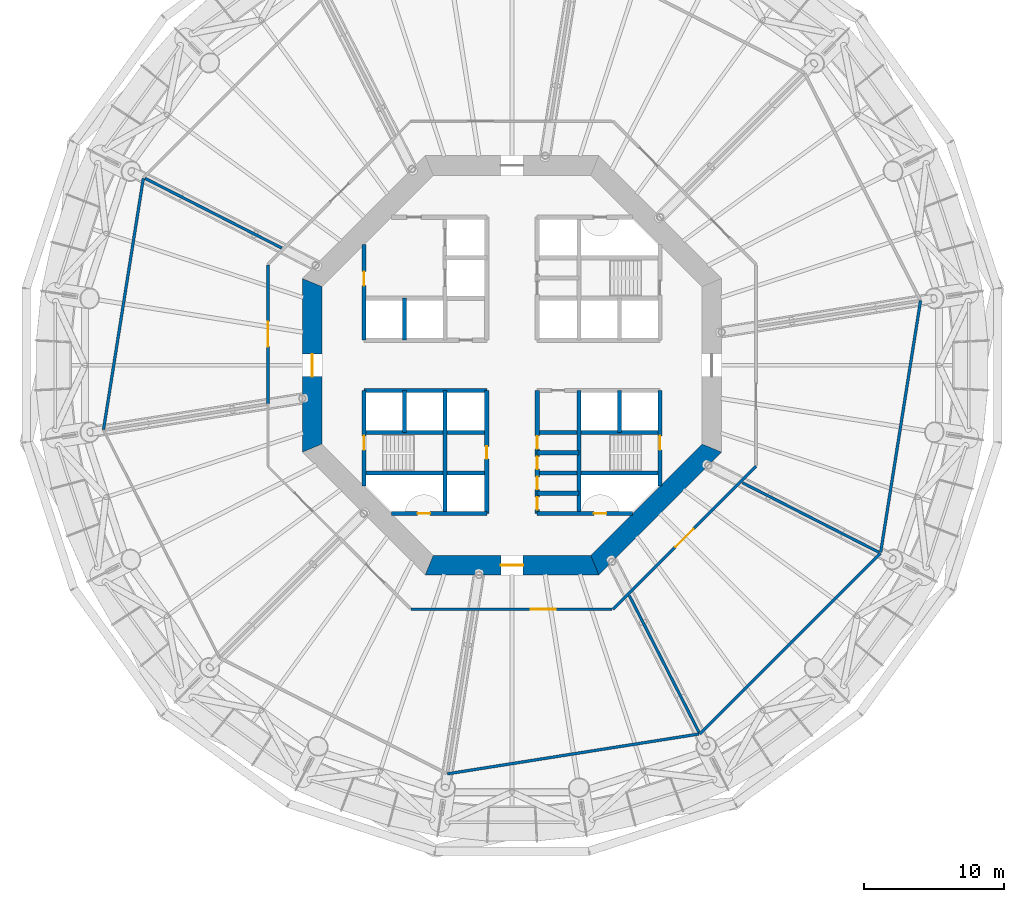
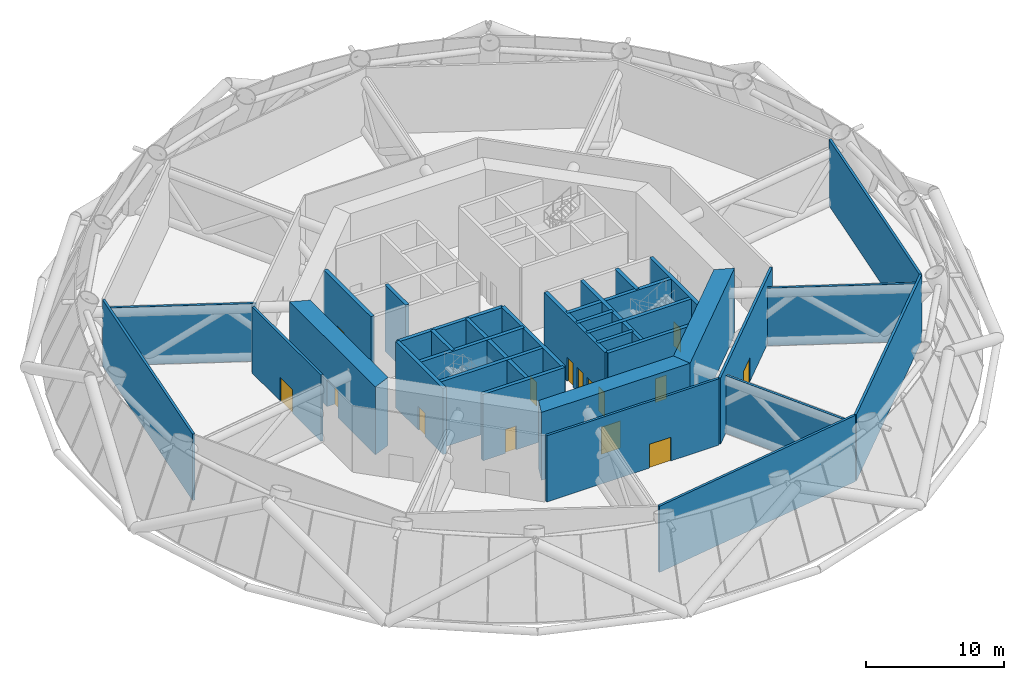
# One storey, part 8 of 14: 32 walls, 15 doors, 15 openings.
"""IFC4 building model written with IfcOpenShell, lengths in metres."""

from ifc_helpers import new_model, si_unit, direction, frame, frame_2d, origin, place, context, subcontext, project, spatial, polyline, rectangle, outline, extrude, material, layer, layer_set, type_object, element, fill, save


model = new_model("IFC4")

# Units and contexts
model_context = context("Model", 3, precision=1e-05, world=origin(), true_north=direction((0.0, 1.0)))
body_context = subcontext(model_context, "Body", "Model", "MODEL_VIEW")
ifc_project = project(units=[si_unit("LENGTHUNIT", "METRE"), si_unit("AREAUNIT", "SQUARE_METRE"), si_unit("VOLUMEUNIT", "CUBIC_METRE"), si_unit("PLANEANGLEUNIT", "RADIAN"), si_unit("MASSUNIT", "GRAM", prefix="KILO")], contexts=[model_context])

# Site, building, storey
site_placement = place(None, origin())
site = spatial("IfcSite", under=ifc_project, at=site_placement, CompositionType="ELEMENT")
building_placement = place(site_placement, origin())
building = spatial("IfcBuilding", under=site, at=building_placement, Name="Entoto Ring Tower", CompositionType="ELEMENT")
storey_placement = place(building_placement, frame((0.0, 0.0, 74.0)))
storey = spatial("IfcBuildingStorey", under=building, at=storey_placement, Name="L16", CompositionType="ELEMENT", Elevation=74.0)

# Wall, opening, door
ifc_material_1 = material(Name="Concrete C40/50", Category="concrete")
ifc_layer_1 = layer(ifc_material_1, 0.300048828125)
ifc_layer_set_1 = layer_set([ifc_layer_1], Name="Concrete C40/50")
wall_type_1 = type_object("IfcWallType", Name="Core enclosure wall 300 mm reinforced concrete", PredefinedType="SOLIDWALL", material=ifc_layer_set_1)
wall_1_placement = place(storey_placement, frame((100.60009765625, 71.36669921875, 0.0), z_axis=(0.0, 0.0, 1.0), x_axis=(0.0, 1.0, 0.0)))
wall_1 = element("IfcWall", 1, at=wall_1_placement, inside=storey, type_object=wall_type_1, Name="wall-L16-001", PredefinedType="SOLIDWALL", context=body_context, shape_type="SweptSolid", body=[
    extrude(rectangle(XDim=6.833251953125, YDim=0.300048828125, at=frame_2d((3.41650390625, 0.0))), origin(), (0.0, 0.0, 1.0), 5.85009765625),
])
opening_1_placement = place(wall_1_placement, frame((2.583251953125, 0.0, 0.0)))
opening_1 = element("IfcOpeningElement", 2, at=opening_1_placement, cuts=wall_1, Name="Opening K-55", PredefinedType="OPENING", context=body_context, shape_type="SweptSolid", body=[
    extrude(rectangle(XDim=1.0, YDim=2.10009765625, at=frame_2d((0.5, 1.050048828125))), frame((0.0, 0.16015625, 0.0), z_axis=(0.0, -1.0, 0.0), x_axis=(1.0, 0.0, 0.0)), (0.0, 0.0, 1.0), 0.320068359375),
])
ifc_material_2 = material(Name="Steel door leaf, fire rated", Category="steel")
ifc_layer_2 = layer(ifc_material_2, 0.050048828125)
ifc_layer_set_2 = layer_set([ifc_layer_2], Name="Steel door leaf, fire rated")
door_type_1 = type_object("IfcDoorType", Name="Fire door FD60 1000 x 2100 single leaf", OperationType="NOTDEFINED", PredefinedType="DOOR", material=ifc_layer_set_2)
door_1_placement = place(opening_1_placement, origin())
door_1 = element("IfcDoor", 3, at=door_1_placement, inside=storey, type_object=door_type_1, Name="Door K-55", OperationType="SINGLE_SWING_RIGHT", OverallHeight=2.10009765625, OverallWidth=1.0, PredefinedType="DOOR", context=body_context, shape_type="SweptSolid", body=[
    extrude(rectangle(XDim=1.0, YDim=2.10009765625, at=frame_2d((0.5, 1.050048828125))), frame((0.0, 0.02490234375, 0.0), z_axis=(0.0, -1.0, 0.0), x_axis=(1.0, 0.0, 0.0)), (0.0, 0.0, 1.0), 0.050048828125),
])
fill(opening_1, door_1)

# Walls
wall_2_placement = place(storey_placement, frame((97.699951171875, 75.199951171875, 0.0), z_axis=(0.0, 0.0, 1.0), x_axis=(0.0, 1.0, 0.0)))
element("IfcWall", 4, at=wall_2_placement, inside=storey, type_object=wall_type_1, Name="wall-L16-003", PredefinedType="SOLIDWALL", context=body_context, shape_type="SweptSolid", body=[
    extrude(rectangle(XDim=3.0, YDim=0.300048828125, at=frame_2d((1.5, 0.0))), origin(), (0.0, 0.0, 1.0), 5.85009765625),
])
wall_3_placement = place(storey_placement, frame((94.800048828125, 69.39990234375, 0.0), z_axis=(0.0, 0.0, 1.0), x_axis=(0.0, 1.0, 0.0)))
element("IfcWall", 5, at=wall_3_placement, inside=storey, type_object=wall_type_1, Name="wall-L16-005", PredefinedType="SOLIDWALL", context=body_context, shape_type="SweptSolid", body=[
    extrude(rectangle(XDim=8.800048828125, YDim=0.300048828125, at=frame_2d((4.39990234375, 0.0))), origin(), (0.0, 0.0, 1.0), 5.85009765625),
])

# Wall, openings, doors
wall_4_placement = place(storey_placement, frame((91.800048828125, 69.39990234375, 0.0), z_axis=(0.0, 0.0, 1.0), x_axis=(0.0, 1.0, 0.0)))
wall_4 = element("IfcWall", 6, at=wall_4_placement, inside=storey, type_object=wall_type_1, Name="wall-L16-007", PredefinedType="SOLIDWALL", context=body_context, shape_type="SweptSolid", body=[
    extrude(rectangle(XDim=8.800048828125, YDim=0.300048828125, at=frame_2d((4.39990234375, 0.0))), origin(), (0.0, 0.0, 1.0), 5.85009765625),
])
opening_2_placement = place(wall_4_placement, frame((3.175048828125, 0.0, 0.0)))
opening_2 = element("IfcOpeningElement", 7, at=opening_2_placement, cuts=wall_4, Name="Opening K-07", PredefinedType="OPENING", context=body_context, shape_type="SweptSolid", body=[
    extrude(rectangle(XDim=0.89990234375, YDim=2.10009765625, at=frame_2d((0.449951171875, 1.050048828125))), frame((0.0, 0.16015625, 0.0), z_axis=(0.0, -1.0, 0.0), x_axis=(1.0, 0.0, 0.0)), (0.0, 0.0, 1.0), 0.320068359375),
])
opening_3_placement = place(wall_4_placement, frame((4.625, 0.0, 0.0)))
opening_3 = element("IfcOpeningElement", 8, at=opening_3_placement, cuts=wall_4, Name="Opening K-08", PredefinedType="OPENING", context=body_context, shape_type="SweptSolid", body=[
    extrude(rectangle(XDim=0.89990234375, YDim=2.10009765625, at=frame_2d((0.449951171875, 1.050048828125))), frame((0.0, 0.16015625, 0.0), z_axis=(0.0, -1.0, 0.0), x_axis=(1.0, 0.0, 0.0)), (0.0, 0.0, 1.0), 0.320068359375),
])
opening_4_placement = place(wall_4_placement, frame((0.27490234375, 0.0, 0.0)))
opening_4 = element("IfcOpeningElement", 9, at=opening_4_placement, cuts=wall_4, Name="Opening K-09", PredefinedType="OPENING", context=body_context, shape_type="SweptSolid", body=[
    extrude(rectangle(XDim=0.89990234375, YDim=2.10009765625, at=frame_2d((0.449951171875, 1.050048828125))), frame((0.0, 0.16015625, 0.0), z_axis=(0.0, -1.0, 0.0), x_axis=(1.0, 0.0, 0.0)), (0.0, 0.0, 1.0), 0.320068359375),
])
opening_5_placement = place(wall_4_placement, frame((1.72509765625, 0.0, 0.0)))
opening_5 = element("IfcOpeningElement", 10, at=opening_5_placement, cuts=wall_4, Name="Opening K-10", PredefinedType="OPENING", context=body_context, shape_type="SweptSolid", body=[
    extrude(rectangle(XDim=0.89990234375, YDim=2.10009765625, at=frame_2d((0.449951171875, 1.050048828125))), frame((0.0, 0.16015625, 0.0), z_axis=(0.0, -1.0, 0.0), x_axis=(1.0, 0.0, 0.0)), (0.0, 0.0, 1.0), 0.320068359375),
])
ifc_material_3 = material(Name="Steel door leaf, fire rated", Category="steel")
ifc_layer_3 = layer(ifc_material_3, 0.050048828125)
ifc_layer_set_3 = layer_set([ifc_layer_3], Name="Steel door leaf, fire rated")
door_type_2 = type_object("IfcDoorType", Name="Core door 900 x 2100 single leaf", OperationType="NOTDEFINED", PredefinedType="DOOR", material=ifc_layer_set_3)
door_2_placement = place(opening_2_placement, frame((0.89990234375, 0.0, 0.0), z_axis=(0.0, 0.0, 1.0), x_axis=(-1.0, 0.0, 0.0)))
door_2 = element("IfcDoor", 11, at=door_2_placement, inside=storey, type_object=door_type_2, Name="Door K-07", OperationType="SINGLE_SWING_LEFT", OverallHeight=2.10009765625, OverallWidth=0.89990234375, PredefinedType="DOOR", context=body_context, shape_type="SweptSolid", body=[
    extrude(rectangle(XDim=0.89990234375, YDim=2.10009765625, at=frame_2d((0.449951171875, 1.050048828125))), frame((0.0, 0.02490234375, 0.0), z_axis=(0.0, -1.0, 0.0), x_axis=(1.0, 0.0, 0.0)), (0.0, 0.0, 1.0), 0.050048828125),
])
fill(opening_2, door_2)
door_3_placement = place(opening_3_placement, frame((0.89990234375, 0.0, 0.0), z_axis=(0.0, 0.0, 1.0), x_axis=(-1.0, 0.0, 0.0)))
door_3 = element("IfcDoor", 12, at=door_3_placement, inside=storey, type_object=door_type_2, Name="Door K-08", OperationType="SINGLE_SWING_LEFT", OverallHeight=2.10009765625, OverallWidth=0.89990234375, PredefinedType="DOOR", context=body_context, shape_type="SweptSolid", body=[
    extrude(rectangle(XDim=0.89990234375, YDim=2.10009765625, at=frame_2d((0.449951171875, 1.050048828125))), frame((0.0, 0.02490234375, 0.0), z_axis=(0.0, -1.0, 0.0), x_axis=(1.0, 0.0, 0.0)), (0.0, 0.0, 1.0), 0.050048828125),
])
fill(opening_3, door_3)
door_4_placement = place(opening_4_placement, frame((0.89990234375, 0.0, 0.0), z_axis=(0.0, 0.0, 1.0), x_axis=(-1.0, 0.0, 0.0)))
door_4 = element("IfcDoor", 13, at=door_4_placement, inside=storey, type_object=door_type_2, Name="Door K-09", OperationType="SINGLE_SWING_LEFT", OverallHeight=2.10009765625, OverallWidth=0.89990234375, PredefinedType="DOOR", context=body_context, shape_type="SweptSolid", body=[
    extrude(rectangle(XDim=0.89990234375, YDim=2.10009765625, at=frame_2d((0.449951171875, 1.050048828125))), frame((0.0, 0.02490234375, 0.0), z_axis=(0.0, -1.0, 0.0), x_axis=(1.0, 0.0, 0.0)), (0.0, 0.0, 1.0), 0.050048828125),
])
fill(opening_4, door_4)
door_5_placement = place(opening_5_placement, frame((0.89990234375, 0.0, 0.0), z_axis=(0.0, 0.0, 1.0), x_axis=(-1.0, 0.0, 0.0)))
door_5 = element("IfcDoor", 14, at=door_5_placement, inside=storey, type_object=door_type_2, Name="Door K-10", OperationType="SINGLE_SWING_LEFT", OverallHeight=2.10009765625, OverallWidth=0.89990234375, PredefinedType="DOOR", context=body_context, shape_type="SweptSolid", body=[
    extrude(rectangle(XDim=0.89990234375, YDim=2.10009765625, at=frame_2d((0.449951171875, 1.050048828125))), frame((0.0, 0.02490234375, 0.0), z_axis=(0.0, -1.0, 0.0), x_axis=(1.0, 0.0, 0.0)), (0.0, 0.0, 1.0), 0.050048828125),
])
fill(opening_5, door_5)

# Wall, opening, door
wall_5_placement = place(storey_placement, frame((88.199951171875, 69.39990234375, 0.0), z_axis=(0.0, 0.0, 1.0), x_axis=(0.0, 1.0, 0.0)))
wall_5 = element("IfcWall", 15, at=wall_5_placement, inside=storey, type_object=wall_type_1, Name="wall-L16-009", PredefinedType="SOLIDWALL", context=body_context, shape_type="SweptSolid", body=[
    extrude(rectangle(XDim=8.800048828125, YDim=0.300048828125, at=frame_2d((4.39990234375, 0.0))), origin(), (0.0, 0.0, 1.0), 5.85009765625),
])
opening_6_placement = place(wall_5_placement, frame((3.89990234375, 0.0, 0.0)))
opening_6 = element("IfcOpeningElement", 16, at=opening_6_placement, cuts=wall_5, Name="Opening K-11", PredefinedType="OPENING", context=body_context, shape_type="SweptSolid", body=[
    extrude(rectangle(XDim=0.89990234375, YDim=2.10009765625, at=frame_2d((0.449951171875, 1.050048828125))), frame((0.0, 0.16015625, 0.0), z_axis=(0.0, -1.0, 0.0), x_axis=(1.0, 0.0, 0.0)), (0.0, 0.0, 1.0), 0.320068359375),
])
door_6_placement = place(opening_6_placement, origin())
door_6 = element("IfcDoor", 17, at=door_6_placement, inside=storey, type_object=door_type_2, Name="Door K-11", OperationType="SINGLE_SWING_RIGHT", OverallHeight=2.10009765625, OverallWidth=0.89990234375, PredefinedType="DOOR", context=body_context, shape_type="SweptSolid", body=[
    extrude(rectangle(XDim=0.89990234375, YDim=2.10009765625, at=frame_2d((0.449951171875, 1.050048828125))), frame((0.0, 0.02490234375, 0.0), z_axis=(0.0, -1.0, 0.0), x_axis=(1.0, 0.0, 0.0)), (0.0, 0.0, 1.0), 0.050048828125),
])
fill(opening_6, door_6)

# Walls
wall_6_placement = place(storey_placement, frame((85.199951171875, 69.39990234375, 0.0), z_axis=(0.0, 0.0, 1.0), x_axis=(0.0, 1.0, 0.0)))
element("IfcWall", 18, at=wall_6_placement, inside=storey, type_object=wall_type_1, Name="wall-L16-011", PredefinedType="SOLIDWALL", context=body_context, shape_type="SweptSolid", body=[
    extrude(rectangle(XDim=8.800048828125, YDim=0.300048828125, at=frame_2d((4.39990234375, 0.0))), origin(), (0.0, 0.0, 1.0), 5.85009765625),
])
for number, where, z_axis, x_axis, name in (
    (19, (82.300048828125, 75.199951171875, 0.0), (0.0, 0.0, 1.0), (0.0, 1.0, 0.0), "wall-L16-013"),
    (20, (82.300048828125, 81.800048828125, 0.0), (0.0, 0.0, 1.0), (0.0, 1.0, 0.0), "wall-L16-014"),
):
    element("IfcWall", number, at=place(storey_placement, frame(where, z_axis=z_axis, x_axis=x_axis)), inside=storey, type_object=wall_type_1, Name=name, PredefinedType="SOLIDWALL", context=body_context, shape_type="SweptSolid", body=[
        extrude(rectangle(XDim=3.0, YDim=0.300048828125, at=frame_2d((1.5, 0.0))), origin(), (0.0, 0.0, 1.0), 5.85009765625),
    ])

# Wall, opening, door
wall_7_placement = place(storey_placement, frame((79.39990234375, 71.36669921875, 0.0), z_axis=(0.0, 0.0, 1.0), x_axis=(0.0, 1.0, 0.0)))
wall_7 = element("IfcWall", 21, at=wall_7_placement, inside=storey, type_object=wall_type_1, Name="wall-L16-015", PredefinedType="SOLIDWALL", context=body_context, shape_type="SweptSolid", body=[
    extrude(rectangle(XDim=6.833251953125, YDim=0.300048828125, at=frame_2d((3.41650390625, 0.0))), origin(), (0.0, 0.0, 1.0), 5.85009765625),
])
opening_7_placement = place(wall_7_placement, frame((2.583251953125, 0.0, 0.0)))
opening_7 = element("IfcOpeningElement", 22, at=opening_7_placement, cuts=wall_7, Name="Opening K-52", PredefinedType="OPENING", context=body_context, shape_type="SweptSolid", body=[
    extrude(rectangle(XDim=1.0, YDim=2.10009765625, at=frame_2d((0.5, 1.050048828125))), frame((0.0, 0.16015625, 0.0), z_axis=(0.0, -1.0, 0.0), x_axis=(1.0, 0.0, 0.0)), (0.0, 0.0, 1.0), 0.320068359375),
])
door_7_placement = place(opening_7_placement, frame((1.0, 0.0, 0.0), z_axis=(0.0, 0.0, 1.0), x_axis=(-1.0, 0.0, 0.0)))
door_7 = element("IfcDoor", 23, at=door_7_placement, inside=storey, type_object=door_type_1, Name="Door K-52", OperationType="SINGLE_SWING_LEFT", OverallHeight=2.10009765625, OverallWidth=1.0, PredefinedType="DOOR", context=body_context, shape_type="SweptSolid", body=[
    extrude(rectangle(XDim=1.0, YDim=2.10009765625, at=frame_2d((0.5, 1.050048828125))), frame((0.0, 0.02490234375, 0.0), z_axis=(0.0, -1.0, 0.0), x_axis=(1.0, 0.0, 0.0)), (0.0, 0.0, 1.0), 0.050048828125),
])
fill(opening_7, door_7)

wall_8_placement = place(storey_placement, frame((79.39990234375, 81.800048828125, 0.0), z_axis=(0.0, 0.0, 1.0), x_axis=(0.0, 1.0, 0.0)))
wall_8 = element("IfcWall", 24, at=wall_8_placement, inside=storey, type_object=wall_type_1, Name="wall-L16-016", PredefinedType="SOLIDWALL", context=body_context, shape_type="SweptSolid", body=[
    extrude(rectangle(XDim=6.833251953125, YDim=0.300048828125, at=frame_2d((3.41650390625, 0.0))), origin(), (0.0, 0.0, 1.0), 5.85009765625),
])
opening_8_placement = place(wall_8_placement, frame((3.89990234375, 0.0, 0.0)))
opening_8 = element("IfcOpeningElement", 25, at=opening_8_placement, cuts=wall_8, Name="Opening K-65", PredefinedType="OPENING", context=body_context, shape_type="SweptSolid", body=[
    extrude(rectangle(XDim=1.0, YDim=2.10009765625, at=frame_2d((0.5, 1.050048828125))), frame((0.0, 0.16015625, 0.0), z_axis=(0.0, -1.0, 0.0), x_axis=(1.0, 0.0, 0.0)), (0.0, 0.0, 1.0), 0.320068359375),
])
door_8_placement = place(opening_8_placement, frame((1.0, 0.0, 0.0), z_axis=(0.0, 0.0, 1.0), x_axis=(-1.0, 0.0, 0.0)))
door_8 = element("IfcDoor", 26, at=door_8_placement, inside=storey, type_object=door_type_1, Name="Door K-65", OperationType="SINGLE_SWING_LEFT", OverallHeight=2.10009765625, OverallWidth=1.0, PredefinedType="DOOR", context=body_context, shape_type="SweptSolid", body=[
    extrude(rectangle(XDim=1.0, YDim=2.10009765625, at=frame_2d((0.5, 1.050048828125))), frame((0.0, 0.02490234375, 0.0), z_axis=(0.0, -1.0, 0.0), x_axis=(1.0, 0.0, 0.0)), (0.0, 0.0, 1.0), 0.050048828125),
])
fill(opening_8, door_8)

wall_9_placement = place(storey_placement, frame((81.36669921875, 69.39990234375, 0.0), z_axis=(0.0, 0.0, 1.0), x_axis=(1.0, 0.0, 0.0)))
wall_9 = element("IfcWall", 27, at=wall_9_placement, inside=storey, type_object=wall_type_1, Name="wall-L16-017", PredefinedType="SOLIDWALL", context=body_context, shape_type="SweptSolid", body=[
    extrude(rectangle(XDim=6.833251953125, YDim=0.300048828125, at=frame_2d((3.41650390625, 0.0))), origin(), (0.0, 0.0, 1.0), 5.85009765625),
])
opening_9_placement = place(wall_9_placement, frame((1.88330078125, 0.0, 0.0)))
opening_9 = element("IfcOpeningElement", 28, at=opening_9_placement, cuts=wall_9, Name="Opening K-60", PredefinedType="OPENING", context=body_context, shape_type="SweptSolid", body=[
    extrude(rectangle(XDim=0.89990234375, YDim=2.10009765625, at=frame_2d((0.449951171875, 1.050048828125))), frame((0.0, 0.16015625, 0.0), z_axis=(0.0, -1.0, 0.0), x_axis=(1.0, 0.0, 0.0)), (0.0, 0.0, 1.0), 0.320068359375),
])
ifc_material_4 = material(Name="Steel door leaf, fire rated", Category="steel")
ifc_layer_4 = layer(ifc_material_4, 0.050048828125)
ifc_layer_set_4 = layer_set([ifc_layer_4], Name="Steel door leaf, fire rated")
door_type_3 = type_object("IfcDoorType", Name="Riser door FD60 900 x 2100 single leaf", OperationType="NOTDEFINED", PredefinedType="DOOR", material=ifc_layer_set_4)
door_9_placement = place(opening_9_placement, origin())
door_9 = element("IfcDoor", 29, at=door_9_placement, inside=storey, type_object=door_type_3, Name="Door K-60", OperationType="SINGLE_SWING_RIGHT", OverallHeight=2.10009765625, OverallWidth=0.89990234375, PredefinedType="DOOR", context=body_context, shape_type="SweptSolid", body=[
    extrude(rectangle(XDim=0.89990234375, YDim=2.10009765625, at=frame_2d((0.449951171875, 1.050048828125))), frame((0.0, 0.02490234375, 0.0), z_axis=(0.0, -1.0, 0.0), x_axis=(1.0, 0.0, 0.0)), (0.0, 0.0, 1.0), 0.050048828125),
])
fill(opening_9, door_9)

wall_10_placement = place(storey_placement, frame((91.800048828125, 69.39990234375, 0.0), z_axis=(0.0, 0.0, 1.0), x_axis=(1.0, 0.0, 0.0)))
wall_10 = element("IfcWall", 30, at=wall_10_placement, inside=storey, type_object=wall_type_1, Name="wall-L16-018", PredefinedType="SOLIDWALL", context=body_context, shape_type="SweptSolid", body=[
    extrude(rectangle(XDim=6.833251953125, YDim=0.300048828125, at=frame_2d((3.41650390625, 0.0))), origin(), (0.0, 0.0, 1.0), 5.85009765625),
])
opening_10_placement = place(wall_10_placement, frame((4.050048828125, 0.0, 0.0)))
opening_10 = element("IfcOpeningElement", 31, at=opening_10_placement, cuts=wall_10, Name="Opening K-62", PredefinedType="OPENING", context=body_context, shape_type="SweptSolid", body=[
    extrude(rectangle(XDim=0.89990234375, YDim=2.10009765625, at=frame_2d((0.449951171875, 1.050048828125))), frame((0.0, 0.16015625, 0.0), z_axis=(0.0, -1.0, 0.0), x_axis=(1.0, 0.0, 0.0)), (0.0, 0.0, 1.0), 0.320068359375),
])
door_10_placement = place(opening_10_placement, origin())
door_10 = element("IfcDoor", 32, at=door_10_placement, inside=storey, type_object=door_type_3, Name="Door K-62", OperationType="SINGLE_SWING_LEFT", OverallHeight=2.10009765625, OverallWidth=0.89990234375, PredefinedType="DOOR", context=body_context, shape_type="SweptSolid", body=[
    extrude(rectangle(XDim=0.89990234375, YDim=2.10009765625, at=frame_2d((0.449951171875, 1.050048828125))), frame((0.0, 0.02490234375, 0.0), z_axis=(0.0, -1.0, 0.0), x_axis=(1.0, 0.0, 0.0)), (0.0, 0.0, 1.0), 0.050048828125),
])
fill(opening_10, door_10)

# Walls
wall_11_placement = place(storey_placement, frame((91.800048828125, 70.85009765625, 0.0), z_axis=(0.0, 0.0, 1.0), x_axis=(1.0, 0.0, 0.0)))
element("IfcWall", 33, at=wall_11_placement, inside=storey, type_object=wall_type_1, Name="wall-L16-019", PredefinedType="SOLIDWALL", context=body_context, shape_type="SweptSolid", body=[
    extrude(rectangle(XDim=3.0, YDim=0.300048828125, at=frame_2d((1.5, 0.0))), origin(), (0.0, 0.0, 1.0), 5.85009765625),
])
for number, where, z_axis, x_axis, name in (
    (34, (79.39990234375, 72.300048828125, 0.0), (0.0, 0.0, 1.0), (1.0, 0.0, 0.0), "wall-L16-020"),
    (35, (91.800048828125, 72.300048828125, 0.0), (0.0, 0.0, 1.0), (1.0, 0.0, 0.0), "wall-L16-021"),
):
    element("IfcWall", number, at=place(storey_placement, frame(where, z_axis=z_axis, x_axis=x_axis)), inside=storey, type_object=wall_type_1, Name=name, PredefinedType="SOLIDWALL", context=body_context, shape_type="SweptSolid", body=[
        extrude(rectangle(XDim=8.800048828125, YDim=0.300048828125, at=frame_2d((4.39990234375, 0.0))), origin(), (0.0, 0.0, 1.0), 5.85009765625),
    ])
wall_12_placement = place(storey_placement, frame((91.800048828125, 73.75, 0.0), z_axis=(0.0, 0.0, 1.0), x_axis=(1.0, 0.0, 0.0)))
element("IfcWall", 36, at=wall_12_placement, inside=storey, type_object=wall_type_1, Name="wall-L16-022", PredefinedType="SOLIDWALL", context=body_context, shape_type="SweptSolid", body=[
    extrude(rectangle(XDim=3.0, YDim=0.300048828125, at=frame_2d((1.5, 0.0))), origin(), (0.0, 0.0, 1.0), 5.85009765625),
])
for number, where, z_axis, x_axis, name in (
    (37, (79.39990234375, 75.199951171875, 0.0), (0.0, 0.0, 1.0), (1.0, 0.0, 0.0), "wall-L16-023"),
    (38, (91.800048828125, 75.199951171875, 0.0), (0.0, 0.0, 1.0), (1.0, 0.0, 0.0), "wall-L16-024"),
    (39, (79.39990234375, 78.199951171875, 0.0), (0.0, 0.0, 1.0), (1.0, 0.0, 0.0), "wall-L16-025"),
):
    element("IfcWall", number, at=place(storey_placement, frame(where, z_axis=z_axis, x_axis=x_axis)), inside=storey, type_object=wall_type_1, Name=name, PredefinedType="SOLIDWALL", context=body_context, shape_type="SweptSolid", body=[
        extrude(rectangle(XDim=8.800048828125, YDim=0.300048828125, at=frame_2d((4.39990234375, 0.0))), origin(), (0.0, 0.0, 1.0), 5.85009765625),
    ])

# Wall, opening, door
ifc_material_5 = material(Name="Concrete C60/75", Category="concrete")
ifc_layer_5 = layer(ifc_material_5, 1.39990234375)
ifc_layer_set_5 = layer_set([ifc_layer_5], Name="Concrete C60/75")
wall_type_2 = type_object("IfcWallType", Name="Core shear wall 1400 mm reinforced concrete C60/75", PredefinedType="SHEAR", material=ifc_layer_set_5)
wall_13_placement = place(storey_placement, frame((75.699951171875, 85.92333984375, 0.0), z_axis=(0.0, 0.0, 1.0), x_axis=(0.0, -1.0, 0.0)))
wall_13 = element("IfcWall", 40, at=wall_13_placement, inside=storey, type_object=wall_type_2, Name="wall-L16-core-4", PredefinedType="SHEAR", context=body_context, shape_type="SweptSolid", body=[
    extrude(outline(polyline([(-0.2900390625, -0.699951171875), (12.13671875, -0.699951171875), (11.556640625, 0.699951171875), (0.2900390625, 0.699951171875), (-0.2900390625, -0.699951171875)])), origin(), (0.0, 0.0, 1.0), 6.0),
])
opening_11_placement = place(wall_13_placement, frame((5.123291015625, 0.0, 0.0)))
opening_11 = element("IfcOpeningElement", 41, at=opening_11_placement, cuts=wall_13, Name="Opening K-03", PredefinedType="OPENING", context=body_context, shape_type="SweptSolid", body=[
    extrude(rectangle(XDim=1.60009765625, YDim=2.39990234375, at=frame_2d((0.800048828125, 1.199951171875))), frame((0.0, 0.7099609375, 0.0), z_axis=(0.0, -1.0, 0.0), x_axis=(1.0, 0.0, 0.0)), (0.0, 0.0, 1.0), 1.419921875),
])
ifc_material_6 = material(Name="Steel door leaf, fire rated", Category="steel")
ifc_layer_6 = layer(ifc_material_6, 0.050048828125)
ifc_layer_set_6 = layer_set([ifc_layer_6], Name="Steel door leaf, fire rated")
door_type_4 = type_object("IfcDoorType", Name="Entrance door FD60 1600 x 2400 double leaf", OperationType="DOUBLE_DOOR_SINGLE_SWING", PredefinedType="DOOR", material=ifc_layer_set_6)
door_11_placement = place(opening_11_placement, origin())
door_11 = element("IfcDoor", 42, at=door_11_placement, inside=storey, type_object=door_type_4, Name="Entrance door K-03", OperationType="DOUBLE_DOOR_SINGLE_SWING", OverallHeight=2.39990234375, OverallWidth=1.60009765625, PredefinedType="DOOR", context=body_context, shape_type="SweptSolid", body=[
    extrude(rectangle(XDim=1.60009765625, YDim=2.39990234375, at=frame_2d((0.800048828125, 1.199951171875))), frame((0.0, 0.02490234375, 0.0), z_axis=(0.0, -1.0, 0.0), x_axis=(1.0, 0.0, 0.0)), (0.0, 0.0, 1.0), 0.050048828125),
])
fill(opening_11, door_11)

wall_14_placement = place(storey_placement, frame((84.07666015625, 65.699951171875, 0.0), z_axis=(0.0, 0.0, 1.0), x_axis=(1.0, 0.0, 0.0)))
wall_14 = element("IfcWall", 43, at=wall_14_placement, inside=storey, type_object=wall_type_2, Name="wall-L16-core-6", PredefinedType="SHEAR", context=body_context, shape_type="SweptSolid", body=[
    extrude(outline(polyline([(-0.2900390625, -0.699951171875), (12.13671875, -0.699951171875), (11.556640625, 0.699951171875), (0.2900390625, 0.699951171875), (-0.2900390625, -0.699951171875)])), origin(), (0.0, 0.0, 1.0), 6.0),
])
opening_12_placement = place(wall_14_placement, frame((5.123291015625, 0.0, 0.0)))
opening_12 = element("IfcOpeningElement", 44, at=opening_12_placement, cuts=wall_14, Name="Opening K-04", PredefinedType="OPENING", context=body_context, shape_type="SweptSolid", body=[
    extrude(rectangle(XDim=1.60009765625, YDim=2.39990234375, at=frame_2d((0.800048828125, 1.199951171875))), frame((0.0, 0.7099609375, 0.0), z_axis=(0.0, -1.0, 0.0), x_axis=(1.0, 0.0, 0.0)), (0.0, 0.0, 1.0), 1.419921875),
])
door_12_placement = place(opening_12_placement, origin())
door_12 = element("IfcDoor", 45, at=door_12_placement, inside=storey, type_object=door_type_4, Name="Entrance door K-04", OperationType="DOUBLE_DOOR_SINGLE_SWING", OverallHeight=2.39990234375, OverallWidth=1.60009765625, PredefinedType="DOOR", context=body_context, shape_type="SweptSolid", body=[
    extrude(rectangle(XDim=1.60009765625, YDim=2.39990234375, at=frame_2d((0.800048828125, 1.199951171875))), frame((0.0, 0.02490234375, 0.0), z_axis=(0.0, -1.0, 0.0), x_axis=(1.0, 0.0, 0.0)), (0.0, 0.0, 1.0), 0.050048828125),
])
fill(opening_12, door_12)

# Walls
wall_15_placement = place(storey_placement, frame((95.92333984375, 65.699951171875, 0.0), z_axis=(0.0, 0.0, 1.0), x_axis=(0.707106781187, 0.707106781187, 0.0)))
element("IfcWall", 46, at=wall_15_placement, inside=storey, type_object=wall_type_2, Name="wall-L16-core-7", PredefinedType="SHEAR", context=body_context, shape_type="SweptSolid", body=[
    extrude(outline(polyline([(-0.2900390625, -0.699951171875), (12.136474609375, -0.699951171875), (11.556396484375, 0.699951171875), (0.2900390625, 0.699951171875), (-0.2900390625, -0.699951171875)])), origin(), (0.0, 0.0, 1.0), 6.0),
])
ifc_material_7 = material(Name="Concrete C20/25", Category="concrete")
ifc_layer_7 = layer(ifc_material_7, 0.199951171875)
ifc_layer_set_7 = layer_set([ifc_layer_7], Name="Concrete C20/25")
wall_type_3 = type_object("IfcWallType", Name="Plant room wall 200 mm two-hour concrete", PredefinedType="PARTITIONING", material=ifc_layer_set_7)
wall_16_placement = place(storey_placement, frame((103.438232421875, 53.626220703125, 0.0), z_axis=(0.0, 0.0, 1.0), x_axis=(0.707106781187, 0.707106781187, 0.0)))
element("IfcWall", 47, at=wall_16_placement, inside=storey, type_object=wall_type_3, Name="partition-L16-008", PredefinedType="PARTITIONING", context=body_context, shape_type="SweptSolid", body=[
    extrude(rectangle(XDim=18.293701171875, YDim=0.199951171875, at=frame_2d((9.14697265625, 0.0))), origin(), (0.0, 0.0, 1.0), 5.85009765625),
])
wall_17_placement = place(storey_placement, frame((60.77001953125, 75.405517578125, 0.0), z_axis=(0.0, 0.0, 1.0), x_axis=(0.156446839663, 0.987686380568, 0.0)))
element("IfcWall", 48, at=wall_17_placement, inside=storey, type_object=wall_type_3, Name="partition-L16-009", PredefinedType="PARTITIONING", context=body_context, shape_type="SweptSolid", body=[
    extrude(rectangle(XDim=18.198974609375, YDim=0.199951171875, at=frame_2d((9.099609375, 0.0))), origin(), (0.0, 0.0, 1.0), 5.85009765625),
])
for number, where, z_axis, x_axis, name in (
    (49, (85.36962890625, 50.764404296875, 0.0), (0.0, 0.0, 1.0), (0.987686968923, 0.156443125195, 0.0), "partition-L16-010"),
    (50, (116.3828125, 66.61962890625, 0.0), (0.0, 0.0, 1.0), (0.156443125195, 0.987686968923, 0.0), "partition-L16-011"),
):
    element("IfcWall", number, at=place(storey_placement, frame(where, z_axis=z_axis, x_axis=x_axis)), inside=storey, type_object=wall_type_3, Name=name, PredefinedType="PARTITIONING", context=body_context, shape_type="SweptSolid", body=[
        extrude(rectangle(XDim=18.2353515625, YDim=0.199951171875, at=frame_2d((9.11767578125, 0.0))), origin(), (0.0, 0.0, 1.0), 5.85009765625),
    ])

# Wall, opening, door
wall_18_placement = place(storey_placement, frame((97.233154296875, 62.53759765625, 0.0), z_axis=(0.0, 0.0, 1.0), x_axis=(0.707106781187, 0.707106781187, 0.0)))
wall_18 = element("IfcWall", 51, at=wall_18_placement, inside=storey, type_object=wall_type_3, Name="partition-L16-015", PredefinedType="PARTITIONING", context=body_context, shape_type="SweptSolid", body=[
    extrude(rectangle(XDim=14.46630859375, YDim=0.199951171875, at=frame_2d((7.233154296875, 0.0))), origin(), (0.0, 0.0, 1.0), 5.85009765625),
])
opening_13_placement = place(wall_18_placement, frame((6.333251953125, 0.0, 0.0)))
opening_13 = element("IfcOpeningElement", 52, at=opening_13_placement, cuts=wall_18, Name="Opening A07-D09", PredefinedType="OPENING", context=body_context, shape_type="SweptSolid", body=[
    extrude(rectangle(XDim=1.800048828125, YDim=2.10009765625, at=frame_2d((0.89990234375, 1.050048828125))), frame((0.0, 0.10986328125, 0.0), z_axis=(0.0, -1.0, 0.0), x_axis=(1.0, 0.0, 0.0)), (0.0, 0.0, 1.0), 0.219970703125),
])
ifc_material_8 = material(Name="Fire-resisting steel door set", Category="steel")
door_type_5 = type_object("IfcDoorType", Name="Door 1800 x 2100 double leaf FD60 steel door", OperationType="DOUBLE_DOOR_SINGLE_SWING", PredefinedType="DOOR", material=ifc_material_8)
door_13_placement = place(opening_13_placement, frame((1.800048828125, 0.0, 0.0), z_axis=(0.0, 0.0, 1.0), x_axis=(-1.0, 0.0, 0.0)))
door_13 = element("IfcDoor", 53, at=door_13_placement, inside=storey, type_object=door_type_5, Name="Door A07-D09", OperationType="DOUBLE_DOOR_SINGLE_SWING", OverallHeight=2.10009765625, OverallWidth=1.800048828125, PredefinedType="DOOR", context=body_context, shape_type="SweptSolid", body=[
    extrude(rectangle(XDim=1.800048828125, YDim=2.10009765625, at=frame_2d((0.89990234375, 1.050048828125))), frame((0.0, 0.02490234375, 0.0), z_axis=(0.0, -1.0, 0.0), x_axis=(1.0, 0.0, 0.0)), (0.0, 0.0, 1.0), 0.050048828125),
])
fill(opening_13, door_13)

wall_19_placement = place(storey_placement, frame((82.766845703125, 62.53759765625, 0.0), z_axis=(0.0, 0.0, 1.0), x_axis=(1.0, 0.0, 0.0)))
wall_19 = element("IfcWall", 54, at=wall_19_placement, inside=storey, type_object=wall_type_3, Name="partition-L16-017", PredefinedType="PARTITIONING", context=body_context, shape_type="SweptSolid", body=[
    extrude(rectangle(XDim=14.395751953125, YDim=0.199951171875, at=frame_2d((7.19775390625, 0.0))), origin(), (0.0, 0.0, 1.0), 5.85009765625),
])
opening_14_placement = place(wall_19_placement, frame((8.56689453125, 0.0, 0.0)))
opening_14 = element("IfcOpeningElement", 55, at=opening_14_placement, cuts=wall_19, Name="Opening A07-D08", PredefinedType="OPENING", context=body_context, shape_type="SweptSolid", body=[
    extrude(rectangle(XDim=1.800048828125, YDim=2.10009765625, at=frame_2d((0.89990234375, 1.050048828125))), frame((0.0, 0.10986328125, 0.0), z_axis=(0.0, -1.0, 0.0), x_axis=(1.0, 0.0, 0.0)), (0.0, 0.0, 1.0), 0.219970703125),
])
door_14_placement = place(opening_14_placement, frame((1.800048828125, 0.0, 0.0), z_axis=(0.0, 0.0, 1.0), x_axis=(-1.0, 0.0, 0.0)))
door_14 = element("IfcDoor", 56, at=door_14_placement, inside=storey, type_object=door_type_5, Name="Door A07-D08", OperationType="DOUBLE_DOOR_SINGLE_SWING", OverallHeight=2.10009765625, OverallWidth=1.800048828125, PredefinedType="DOOR", context=body_context, shape_type="SweptSolid", body=[
    extrude(rectangle(XDim=1.800048828125, YDim=2.10009765625, at=frame_2d((0.89990234375, 1.050048828125))), frame((0.0, 0.02490234375, 0.0), z_axis=(0.0, -1.0, 0.0), x_axis=(1.0, 0.0, 0.0)), (0.0, 0.0, 1.0), 0.050048828125),
])
fill(opening_14, door_14)

wall_20_placement = place(storey_placement, frame((72.53759765625, 77.234130859375, 0.0), z_axis=(0.0, 0.0, 1.0), x_axis=(0.0, 1.0, 0.0)))
wall_20 = element("IfcWall", 57, at=wall_20_placement, inside=storey, type_object=wall_type_3, Name="partition-L16-030", PredefinedType="PARTITIONING", context=body_context, shape_type="SweptSolid", body=[
    extrude(rectangle(XDim=9.928466796875, YDim=0.199951171875, at=frame_2d((4.96435546875, 0.0))), origin(), (0.0, 0.0, 1.0), 5.85009765625),
])
opening_15_placement = place(wall_20_placement, frame((4.099365234375, 0.0, 0.0)))
opening_15 = element("IfcOpeningElement", 58, at=opening_15_placement, cuts=wall_20, Name="Opening A07-D05", PredefinedType="OPENING", context=body_context, shape_type="SweptSolid", body=[
    extrude(rectangle(XDim=1.800048828125, YDim=2.10009765625, at=frame_2d((0.89990234375, 1.050048828125))), frame((0.0, 0.10986328125, 0.0), z_axis=(0.0, -1.0, 0.0), x_axis=(1.0, 0.0, 0.0)), (0.0, 0.0, 1.0), 0.219970703125),
])
door_15_placement = place(opening_15_placement, origin())
door_15 = element("IfcDoor", 59, at=door_15_placement, inside=storey, type_object=door_type_5, Name="Door A07-D05", OperationType="DOUBLE_DOOR_SINGLE_SWING", OverallHeight=2.10009765625, OverallWidth=1.800048828125, PredefinedType="DOOR", context=body_context, shape_type="SweptSolid", body=[
    extrude(rectangle(XDim=1.800048828125, YDim=2.10009765625, at=frame_2d((0.89990234375, 1.050048828125))), frame((0.0, 0.02490234375, 0.0), z_axis=(0.0, -1.0, 0.0), x_axis=(1.0, 0.0, 0.0)), (0.0, 0.0, 1.0), 0.050048828125),
])
fill(opening_15, door_15)

# Walls
ifc_material_9 = material(Name="Concrete C20/25", Category="concrete")
ifc_layer_8 = layer(ifc_material_9, 0.199951171875)
ifc_layer_set_8 = layer_set([ifc_layer_8], Name="Concrete C20/25")
wall_type_4 = type_object("IfcWallType", Name="Plant room wall 200 mm two-hour concrete, 5097 mm high", PredefinedType="PARTITIONING", material=ifc_layer_set_8)
for number, where, z_axis, x_axis, name in (
    (60, (73.517578125, 88.398193359375, 0.0), (0.0, 0.0, 1.0), (-0.891003297763, 0.4539968319, 0.0), "partition-L16-026"),
    (61, (103.375732421875, 53.748779296875, 0.0), (0.0, 0.0, 1.0), (-0.4539968319, 0.891003297763, 0.0), "partition-L16-028"),
    (62, (116.251220703125, 66.624267578125, 0.0), (0.0, 0.0, 1.0), (-0.891003297763, 0.4539968319, 0.0), "partition-L16-029"),
):
    element("IfcWall", number, at=place(storey_placement, frame(where, z_axis=z_axis, x_axis=x_axis)), inside=storey, type_object=wall_type_4, Name=name, PredefinedType="PARTITIONING", context=body_context, shape_type="SweptSolid", body=[
        extrude(rectangle(XDim=10.9638671875, YDim=0.199951171875, at=frame_2d((5.48193359375, 0.0))), origin(), (0.0, 0.0, 1.0), 5.096923828125),
    ])

save(model, "model.ifc")
